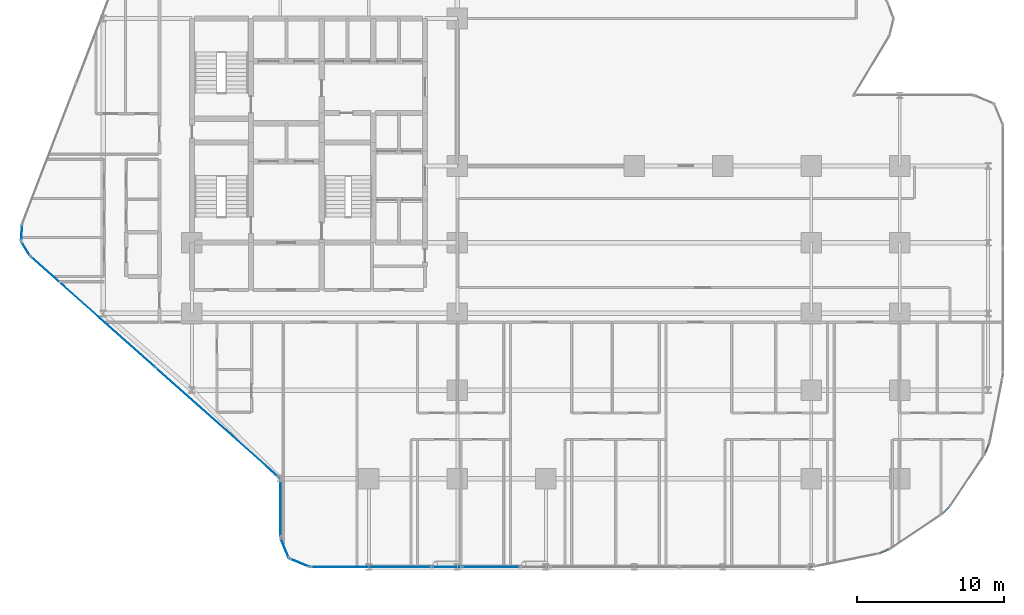
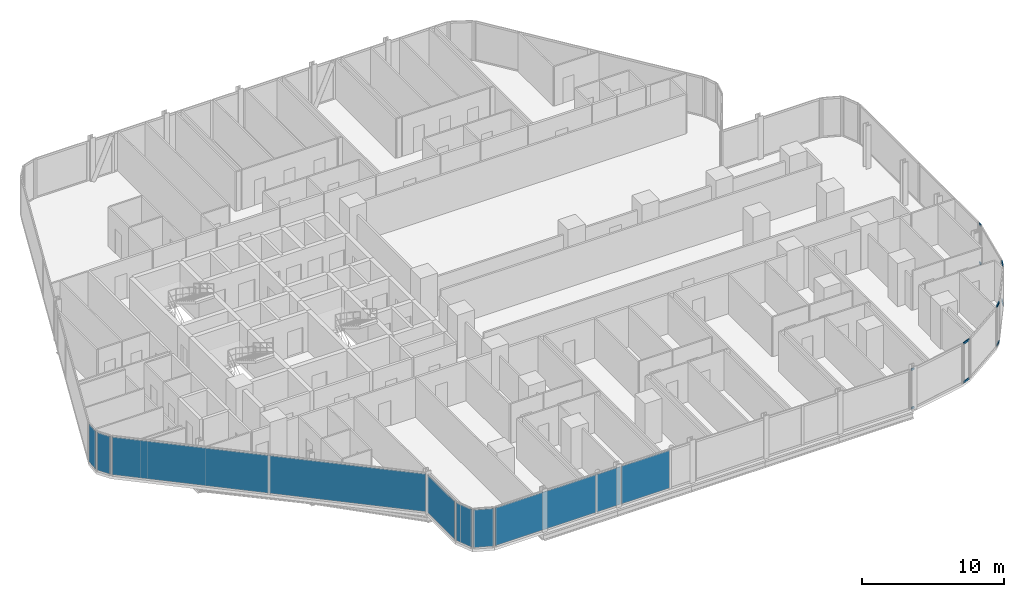
# One storey, part 20 of 33: 10 members, 10 plates, 14 elements without a shape of their own.
"""IFC4 building model written with IfcOpenShell, lengths in metres."""

from ifc_helpers import new_model, si_unit, direction, frame, origin, origin_2d, place, context, subcontext, project, spatial, rectangle, hollow_rectangle, extrude, material, layer, layer_set, material_profile, profile_set, type_object, element, aggregate, save


model = new_model("IFC4")

# Units and contexts
model_context = context("Model", 3, precision=1e-05, world=origin(), true_north=direction((0.0, 1.0)))
body_context = subcontext(model_context, "Body", "Model", "MODEL_VIEW")
ifc_project = project(units=[si_unit("LENGTHUNIT", "METRE"), si_unit("AREAUNIT", "SQUARE_METRE"), si_unit("VOLUMEUNIT", "CUBIC_METRE"), si_unit("PLANEANGLEUNIT", "RADIAN"), si_unit("MASSUNIT", "GRAM", prefix="KILO")], contexts=[model_context])

# Site, building, storey
site_placement = place(None, origin())
site = spatial("IfcSite", under=ifc_project, at=site_placement, CompositionType="ELEMENT")
building_placement = place(site_placement, origin())
building = spatial("IfcBuilding", under=site, at=building_placement, Name="Keshet Zoharim Tower", CompositionType="ELEMENT")
storey_placement = place(building_placement, frame((0.0, 0.0, 42.5)))
storey = spatial("IfcBuildingStorey", under=building, at=storey_placement, Name="L09", CompositionType="ELEMENT", Elevation=42.5)

# Curtain wall, members
ifc_material_1 = material(Name="Aluminium 6063-T6", Category="aluminium")
ifc_layer_1 = layer(ifc_material_1, 0.169921875)
ifc_layer_set_1 = layer_set([ifc_layer_1], Name="Aluminium 6063-T6")
curtain_wall_type_1 = type_object("IfcCurtainWallType", Name="CW-SYS-02", PredefinedType="NOTDEFINED", material=ifc_layer_set_1)
curtain_wall_1_placement = place(storey_placement, origin())
curtain_wall_1 = element("IfcCurtainWall", 1, at=curtain_wall_1_placement, inside=storey, type_object=curtain_wall_type_1, Name="L09 Unitised Curtain Wall 17", PredefinedType="NOTDEFINED")
ifc_material_profile = material_profile(ifc_material_1, hollow_rectangle(XDim=0.0849609375, YDim=0.159912109375, WallThickness=0.00439453125, at=origin_2d()), Name="TRN-85x160")
ifc_profile_set = profile_set([ifc_material_profile], Name="Aluminium 6063-T6")
member_type = type_object("IfcMemberType", Name="CWT-T16", PredefinedType="USERDEFINED", material=ifc_profile_set)
member_1_placement = place(storey_placement, frame((69.9931640625, 13.827392578125, 0.034912109375), z_axis=(-0.096912647607, -0.995292890929, 0.0), x_axis=(0.995292890929, -0.096912647607, 0.0)))
member_1 = element("IfcMember", 2, at=member_1_placement, type_object=member_type, Name="CW-02 transom 1.1", ObjectType="TRANSOM", PredefinedType="USERDEFINED", context=body_context, shape_type="SweptSolid", body=[
    extrude(hollow_rectangle(XDim=0.0849609375, YDim=0.159912109375, WallThickness=0.00439453125, at=origin_2d()), origin(), (0.0, 0.0, 1.0), 0.251953125),
])
member_2_placement = place(storey_placement, frame((69.9931640625, 13.827392578125, 3.35009765625), z_axis=(-0.096912647607, -0.995292890929, 0.0), x_axis=(0.995292890929, -0.096912647607, 0.0)))
member_2 = element("IfcMember", 3, at=member_2_placement, type_object=member_type, Name="CW-02 transom 1.2", ObjectType="TRANSOM", PredefinedType="USERDEFINED", context=body_context, shape_type="SweptSolid", body=[
    extrude(hollow_rectangle(XDim=0.0849609375, YDim=0.159912109375, WallThickness=0.00439453125, at=origin_2d()), origin(), (0.0, 0.0, 1.0), 0.251953125),
])
aggregate(curtain_wall_1, [member_1, member_2])

ifc_layer_2 = layer(ifc_material_1, 0.179931640625)
ifc_layer_set_2 = layer_set([ifc_layer_2], Name="Aluminium 6063-T6")
curtain_wall_type_2 = type_object("IfcCurtainWallType", Name="CW-SYS-01", PredefinedType="NOTDEFINED", material=ifc_layer_set_2)
curtain_wall_2_placement = place(storey_placement, origin())
curtain_wall_2 = element("IfcCurtainWall", 4, at=curtain_wall_2_placement, inside=storey, type_object=curtain_wall_type_2, Name="L09 Unitised Curtain Wall 19", PredefinedType="NOTDEFINED")
member_3_placement = place(storey_placement, frame((69.061279296875, 9.05029296875, 0.034912109375), z_axis=(-0.383126096215, -0.923696050874, 0.0), x_axis=(0.923696050874, -0.383126096215, 0.0)))
member_3 = element("IfcMember", 5, at=member_3_placement, type_object=member_type, Name="CW-01 transom 1.1", ObjectType="TRANSOM", PredefinedType="USERDEFINED", context=body_context, shape_type="SweptSolid", body=[
    extrude(hollow_rectangle(XDim=0.0849609375, YDim=0.159912109375, WallThickness=0.00439453125, at=origin_2d()), origin(), (0.0, 0.0, 1.0), 0.640380859375),
])
member_4_placement = place(storey_placement, frame((69.061279296875, 9.05029296875, 3.35009765625), z_axis=(-0.383126096215, -0.923696050874, 0.0), x_axis=(0.923696050874, -0.383126096215, 0.0)))
member_4 = element("IfcMember", 6, at=member_4_placement, type_object=member_type, Name="CW-01 transom 1.2", ObjectType="TRANSOM", PredefinedType="USERDEFINED", context=body_context, shape_type="SweptSolid", body=[
    extrude(hollow_rectangle(XDim=0.0849609375, YDim=0.159912109375, WallThickness=0.00439453125, at=origin_2d()), origin(), (0.0, 0.0, 1.0), 0.640380859375),
])
aggregate(curtain_wall_2, [member_3, member_4])

curtain_wall_3_placement = place(storey_placement, origin())
curtain_wall_3 = element("IfcCurtainWall", 7, at=curtain_wall_3_placement, inside=storey, type_object=curtain_wall_type_2, Name="L09 Unitised Curtain Wall 21", PredefinedType="NOTDEFINED")
member_5_placement = place(storey_placement, frame((66.363525390625, 4.78857421875, 0.034912109375), z_axis=(-0.707106781187, -0.707106781187, 0.0), x_axis=(0.707106781187, -0.707106781187, 0.0)))
member_5 = element("IfcMember", 8, at=member_5_placement, type_object=member_type, Name="CW-01 transom 1.1", ObjectType="TRANSOM", PredefinedType="USERDEFINED", context=body_context, shape_type="SweptSolid", body=[
    extrude(hollow_rectangle(XDim=0.0849609375, YDim=0.159912109375, WallThickness=0.00439453125, at=origin_2d()), origin(), (0.0, 0.0, 1.0), 0.639404296875),
])
member_6_placement = place(storey_placement, frame((66.363525390625, 4.78857421875, 3.35009765625), z_axis=(-0.707106781187, -0.707106781187, 0.0), x_axis=(0.707106781187, -0.707106781187, 0.0)))
member_6 = element("IfcMember", 9, at=member_6_placement, type_object=member_type, Name="CW-01 transom 1.2", ObjectType="TRANSOM", PredefinedType="USERDEFINED", context=body_context, shape_type="SweptSolid", body=[
    extrude(hollow_rectangle(XDim=0.0849609375, YDim=0.159912109375, WallThickness=0.00439453125, at=origin_2d()), origin(), (0.0, 0.0, 1.0), 0.639404296875),
])
aggregate(curtain_wall_3, [member_5, member_6])

curtain_wall_4_placement = place(storey_placement, origin())
curtain_wall_4 = element("IfcCurtainWall", 10, at=curtain_wall_4_placement, inside=storey, type_object=curtain_wall_type_2, Name="L09 Unitised Curtain Wall 23", PredefinedType="NOTDEFINED")
member_7_placement = place(storey_placement, frame((62.241455078125, 1.88427734375, 0.034912109375), z_axis=(-0.923751978938, -0.382991228891, 0.0), x_axis=(0.382991228891, -0.923751978938, 0.0)))
member_7 = element("IfcMember", 11, at=member_7_placement, type_object=member_type, Name="CW-01 transom 1.1", ObjectType="TRANSOM", PredefinedType="USERDEFINED", context=body_context, shape_type="SweptSolid", body=[
    extrude(hollow_rectangle(XDim=0.0849609375, YDim=0.159912109375, WallThickness=0.00439453125, at=origin_2d()), origin(), (0.0, 0.0, 1.0), 0.640625),
])
member_8_placement = place(storey_placement, frame((62.241455078125, 1.88427734375, 3.35009765625), z_axis=(-0.923751978938, -0.382991228891, 0.0), x_axis=(0.382991228891, -0.923751978938, 0.0)))
member_8 = element("IfcMember", 12, at=member_8_placement, type_object=member_type, Name="CW-01 transom 1.2", ObjectType="TRANSOM", PredefinedType="USERDEFINED", context=body_context, shape_type="SweptSolid", body=[
    extrude(hollow_rectangle(XDim=0.0849609375, YDim=0.159912109375, WallThickness=0.00439453125, at=origin_2d()), origin(), (0.0, 0.0, 1.0), 0.640625),
])
aggregate(curtain_wall_4, [member_7, member_8])

curtain_wall_5_placement = place(storey_placement, origin())
curtain_wall_5 = element("IfcCurtainWall", 13, at=curtain_wall_5_placement, inside=storey, type_object=curtain_wall_type_2, Name="L09 Unitised Curtain Wall 25", PredefinedType="NOTDEFINED")
member_9_placement = place(storey_placement, frame((57.123291015625, 0.731201171875, 0.034912109375), z_axis=(-0.995292890929, -0.096912647607, 0.0), x_axis=(0.096912647607, -0.995292890929, 0.0)))
member_9 = element("IfcMember", 14, at=member_9_placement, type_object=member_type, Name="CW-01 transom 1.1", ObjectType="TRANSOM", PredefinedType="USERDEFINED", context=body_context, shape_type="SweptSolid", body=[
    extrude(hollow_rectangle(XDim=0.0849609375, YDim=0.159912109375, WallThickness=0.00439453125, at=origin_2d()), origin(), (0.0, 0.0, 1.0), 0.251953125),
])
member_10_placement = place(storey_placement, frame((57.123291015625, 0.731201171875, 3.35009765625), z_axis=(-0.995292890929, -0.096912647607, 0.0), x_axis=(0.096912647607, -0.995292890929, 0.0)))
member_10 = element("IfcMember", 15, at=member_10_placement, type_object=member_type, Name="CW-01 transom 1.2", ObjectType="TRANSOM", PredefinedType="USERDEFINED", context=body_context, shape_type="SweptSolid", body=[
    extrude(hollow_rectangle(XDim=0.0849609375, YDim=0.159912109375, WallThickness=0.00439453125, at=origin_2d()), origin(), (0.0, 0.0, 1.0), 0.251953125),
])
aggregate(curtain_wall_5, [member_9, member_10])

# Curtain wall, plates
curtain_wall_6_placement = place(storey_placement, origin())
curtain_wall_6 = element("IfcCurtainWall", 16, at=curtain_wall_6_placement, inside=storey, type_object=curtain_wall_type_2, Name="L09 Unitised Curtain Wall 01", PredefinedType="NOTDEFINED")
ifc_material_2 = material(Name="Insulated Low-E Clear Glass", Category="glass")
ifc_layer_3 = layer(ifc_material_2, 0.035888671875)
ifc_layer_set_3 = layer_set([ifc_layer_3], Name="Insulated Low-E Clear Glass")
plate_type_1 = type_object("IfcPlateType", Name="CWP-01", PredefinedType="CURTAIN_PANEL", material=ifc_layer_set_3)
plate_1_placement = place(storey_placement, frame((16.74560546875, 10.481689453125, 0.06982421875), z_axis=(0.0, 0.0, 1.0), x_axis=(-0.747409318679, 0.664363838836, 0.0)))
plate_1 = element("IfcPlate", 17, at=plate_1_placement, type_object=plate_type_1, Name="CW-01 panel 1.1", PredefinedType="CURTAIN_PANEL", context=body_context, shape_type="SweptSolid", body=[
    extrude(rectangle(XDim=11.244140625, YDim=0.035888671875, at=origin_2d()), origin(), (0.0, 0.0, 1.0), 3.2451171875),
])
plate_2_placement = place(storey_placement, frame((8.289306640625, 17.998291015625, 0.06982421875), z_axis=(0.0, 0.0, 1.0), x_axis=(-0.747409318679, 0.664363838836, 0.0)))
plate_2 = element("IfcPlate", 18, at=plate_2_placement, type_object=plate_type_1, Name="CW-01 panel 2.1", PredefinedType="CURTAIN_PANEL", context=body_context, shape_type="SweptSolid", body=[
    extrude(rectangle(XDim=11.244140625, YDim=0.035888671875, at=origin_2d()), origin(), (0.0, 0.0, 1.0), 3.2451171875),
])
aggregate(curtain_wall_6, [plate_1, plate_2])

# Curtain wall, plate
curtain_wall_7_placement = place(storey_placement, origin())
curtain_wall_7 = element("IfcCurtainWall", 19, at=curtain_wall_7_placement, inside=storey, type_object=curtain_wall_type_2, Name="L09 Unitised Curtain Wall 02", PredefinedType="NOTDEFINED")
plate_3_placement = place(storey_placement, frame((3.7275390625, 22.291015625, 0.06982421875), z_axis=(0.0, 0.0, 1.0), x_axis=(-0.515604947933, 0.856826433805, 0.0)))
plate_3 = element("IfcPlate", 20, at=plate_3_placement, type_object=plate_type_1, Name="CW-01 panel 1.1", PredefinedType="CURTAIN_PANEL", context=body_context, shape_type="SweptSolid", body=[
    extrude(rectangle(XDim=1.052734375, YDim=0.035888671875, at=origin_2d()), origin(), (0.0, 0.0, 1.0), 3.2451171875),
])
aggregate(curtain_wall_7, [plate_3])

curtain_wall_8_placement = place(storey_placement, origin())
curtain_wall_8 = element("IfcCurtainWall", 21, at=curtain_wall_8_placement, inside=storey, type_object=curtain_wall_type_2, Name="L09 Unitised Curtain Wall 03", PredefinedType="NOTDEFINED")
plate_4_placement = place(storey_placement, frame((3.45849609375, 23.3974609375, 0.06982421875), z_axis=(0.0, 0.0, 1.0), x_axis=(0.064516859374, 0.997916617186, 0.0)))
plate_4 = element("IfcPlate", 22, at=plate_4_placement, type_object=plate_type_1, Name="CW-01 panel 1.1", PredefinedType="CURTAIN_PANEL", context=body_context, shape_type="SweptSolid", body=[
    extrude(rectangle(XDim=1.053466796875, YDim=0.035888671875, at=origin_2d()), origin(), (0.0, 0.0, 1.0), 3.2451171875),
])
aggregate(curtain_wall_8, [plate_4])

curtain_wall_9_placement = place(storey_placement, origin())
curtain_wall_9 = element("IfcCurtainWall", 23, at=curtain_wall_9_placement, inside=storey, type_object=curtain_wall_type_2, Name="L09 Unitised Curtain Wall 26 Part 3", PredefinedType="NOTDEFINED")
plate_5_placement = place(storey_placement, frame((35.284912109375, 0.699951171875, 0.06982421875), z_axis=(0.0, 0.0, 1.0), x_axis=(-1.0, 0.0, 0.0)))
plate_5 = element("IfcPlate", 24, at=plate_5_placement, type_object=plate_type_1, Name="CW-01 panel 1.1", PredefinedType="CURTAIN_PANEL", context=body_context, shape_type="SweptSolid", body=[
    extrude(rectangle(XDim=3.90478515625, YDim=0.035888671875, at=origin_2d()), origin(), (0.0, 0.0, 1.0), 3.2451171875),
])
aggregate(curtain_wall_9, [plate_5])

curtain_wall_10_placement = place(storey_placement, origin())
curtain_wall_10 = element("IfcCurtainWall", 25, at=curtain_wall_10_placement, inside=storey, type_object=curtain_wall_type_2, Name="L09 Unitised Curtain Wall 26 Part 5", PredefinedType="NOTDEFINED")
plate_6_placement = place(storey_placement, frame((27.15380859375, 0.699951171875, 0.06982421875), z_axis=(0.0, 0.0, 1.0), x_axis=(-1.0, 0.0, 0.0)))
plate_6 = element("IfcPlate", 26, at=plate_6_placement, type_object=plate_type_1, Name="CW-01 panel 1.1", PredefinedType="CURTAIN_PANEL", context=body_context, shape_type="SweptSolid", body=[
    extrude(rectangle(XDim=8.16748046875, YDim=0.035888671875, at=origin_2d()), origin(), (0.0, 0.0, 1.0), 3.2451171875),
])
aggregate(curtain_wall_10, [plate_6])

curtain_wall_11_placement = place(storey_placement, origin())
curtain_wall_11 = element("IfcCurtainWall", 27, at=curtain_wall_11_placement, inside=storey, type_object=curtain_wall_type_2, Name="L09 Unitised Curtain Wall 27", PredefinedType="NOTDEFINED")
plate_7_placement = place(storey_placement, frame((22.29296875, 0.992919921875, 0.06982421875), z_axis=(0.0, 0.0, 1.0), x_axis=(-0.92380975372, 0.382851849847, 0.0)))
plate_7 = element("IfcPlate", 28, at=plate_7_placement, type_object=plate_type_1, Name="CW-01 panel 1.1", PredefinedType="CURTAIN_PANEL", context=body_context, shape_type="SweptSolid", body=[
    extrude(rectangle(XDim=1.390625, YDim=0.035888671875, at=origin_2d()), origin(), (0.0, 0.0, 1.0), 3.2451171875),
])
aggregate(curtain_wall_11, [plate_7])

curtain_wall_12_placement = place(storey_placement, origin())
curtain_wall_12 = element("IfcCurtainWall", 29, at=curtain_wall_12_placement, inside=storey, type_object=curtain_wall_type_2, Name="L09 Unitised Curtain Wall 28", PredefinedType="NOTDEFINED")
plate_8_placement = place(storey_placement, frame((21.29296875, 1.992919921875, 0.06982421875), z_axis=(0.0, 0.0, 1.0), x_axis=(-0.382851849847, 0.92380975372, 0.0)))
plate_8 = element("IfcPlate", 30, at=plate_8_placement, type_object=plate_type_1, Name="CW-01 panel 1.1", PredefinedType="CURTAIN_PANEL", context=body_context, shape_type="SweptSolid", body=[
    extrude(rectangle(XDim=1.390625, YDim=0.035888671875, at=origin_2d()), origin(), (0.0, 0.0, 1.0), 3.2451171875),
])
aggregate(curtain_wall_12, [plate_8])

curtain_wall_13_placement = place(storey_placement, origin())
curtain_wall_13 = element("IfcCurtainWall", 31, at=curtain_wall_13_placement, inside=storey, type_object=curtain_wall_type_2, Name="L09 Unitised Curtain Wall 29", PredefinedType="NOTDEFINED")
plate_9_placement = place(storey_placement, frame((21.0, 4.699951171875, 0.06982421875), z_axis=(0.0, 0.0, 1.0), x_axis=(0.0, 1.0, 0.0)))
plate_9 = element("IfcPlate", 32, at=plate_9_placement, type_object=plate_type_1, Name="CW-01 panel 1.1", PredefinedType="CURTAIN_PANEL", context=body_context, shape_type="SweptSolid", body=[
    extrude(rectangle(XDim=3.860107421875, YDim=0.035888671875, at=origin_2d()), origin(), (0.0, 0.0, 1.0), 3.2451171875),
])
aggregate(curtain_wall_13, [plate_9])

curtain_wall_14_placement = place(storey_placement, origin())
curtain_wall_14 = element("IfcCurtainWall", 33, at=curtain_wall_14_placement, inside=storey, type_object=curtain_wall_type_2, Name="L09 Unitised Curtain Wall 26 Part 4", PredefinedType="NOTDEFINED")
ifc_material_3 = material(Name="Insulated Aluminium Spandrel Panel", Category="aluminium")
ifc_layer_4 = layer(ifc_material_3, 0.035888671875)
ifc_layer_set_4 = layer_set([ifc_layer_4], Name="Insulated Aluminium Spandrel Panel")
plate_type_2 = type_object("IfcPlateType", Name="CWP-04", PredefinedType="CURTAIN_PANEL", material=ifc_layer_set_4)
plate_10_placement = place(storey_placement, frame((32.284912109375, 0.699951171875, 0.06982421875), z_axis=(0.0, 0.0, 1.0), x_axis=(-1.0, 0.0, 0.0)))
plate_10 = element("IfcPlate", 34, at=plate_10_placement, type_object=plate_type_2, Name="CW-01 spandrel panel 1.1", PredefinedType="CURTAIN_PANEL", context=body_context, shape_type="SweptSolid", body=[
    extrude(rectangle(XDim=1.955078125, YDim=0.035888671875, at=origin_2d()), origin(), (0.0, 0.0, 1.0), 3.2451171875),
])
aggregate(curtain_wall_14, [plate_10])

save(model, "model.ifc")
